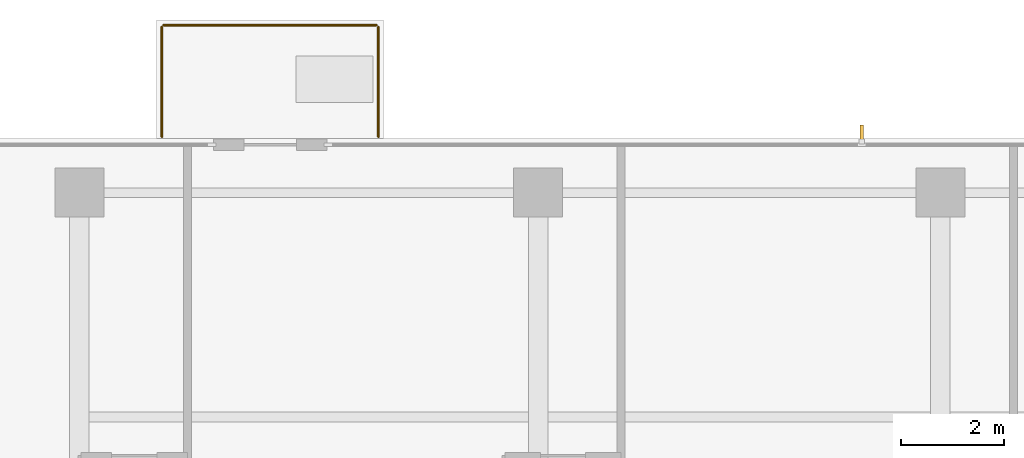
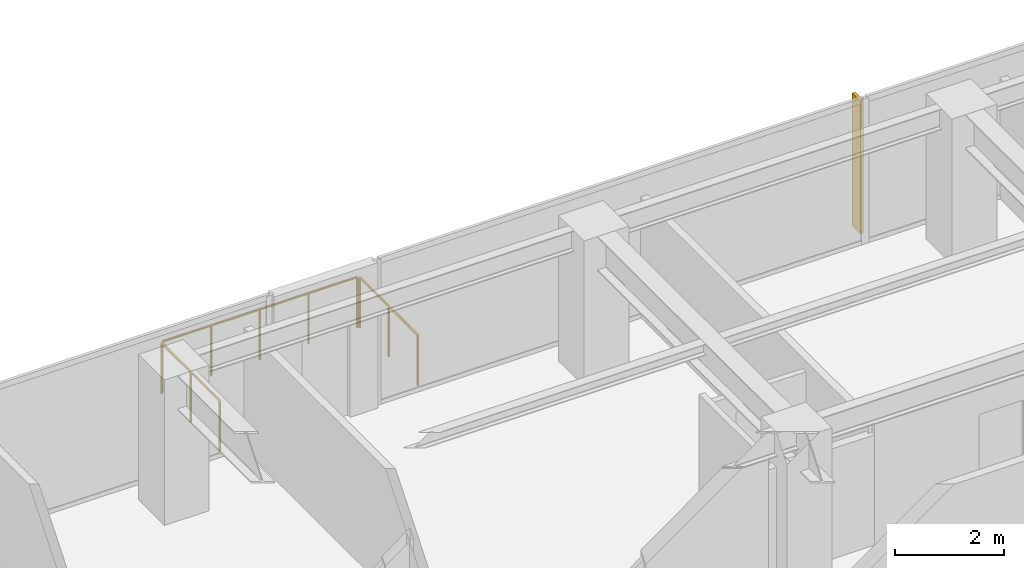
# One storey, part 14 of 14: 3 railings, 1 shading device.
"""IFC4 building model written with IfcOpenShell, lengths in metres."""

from ifc_helpers import new_model, si_unit, direction, frame, origin, origin_2d, place, context, subcontext, project, spatial, polyline, circle, outline, extrude, material, layer, layer_set, type_object, element, save


model = new_model("IFC4")

# Units and contexts
model_context = context("Model", 3, precision=1e-05, world=origin(), true_north=direction((0.0, 1.0)))
body_context = subcontext(model_context, "Body", "Model", "MODEL_VIEW")
ifc_project = project(units=[si_unit("LENGTHUNIT", "METRE"), si_unit("AREAUNIT", "SQUARE_METRE"), si_unit("VOLUMEUNIT", "CUBIC_METRE"), si_unit("PLANEANGLEUNIT", "RADIAN"), si_unit("MASSUNIT", "GRAM", prefix="KILO")], contexts=[model_context])

# Site, building, storey
site_placement = place(None, origin())
site = spatial("IfcSite", under=ifc_project, at=site_placement, CompositionType="ELEMENT")
building_placement = place(site_placement, origin())
building = spatial("IfcBuilding", under=site, at=building_placement, Name="Qalmaran Belvedere Hotel", CompositionType="ELEMENT")
storey_placement = place(building_placement, frame((0.0, 0.0, 210.89990234375)))
storey = spatial("IfcBuildingStorey", under=building, at=storey_placement, Name="L53", CompositionType="ELEMENT", Elevation=210.89990234375)

# Shading device
ifc_material = material(Name="Anodised Bronze Aluminium", Category="aluminium")
ifc_layer = layer(ifc_material, 0.06494140625, Name="Anodised Bronze Aluminium")
ifc_layer_set = layer_set([ifc_layer], Name="Anodised Bronze Aluminium")
shading_device_type = type_object("IfcShadingDeviceType", Name="FIN-BRNZ-300", PredefinedType="USERDEFINED", material=ifc_layer_set)
shading_device_placement = place(storey_placement, frame((0.0, 0.0, 0.16015625)))
element("IfcShadingDevice", 1, at=shading_device_placement, inside=storey, type_object=shading_device_type, Name="L53 Bronze Fin 1", ObjectType="FIN", PredefinedType="USERDEFINED", context=body_context, shape_type="SweptSolid", body=[
    extrude(outline(polyline([(35.507568359375, 41.467529296875), (35.507568359375, 41.767578125), (35.4423828125, 41.767578125), (35.4423828125, 41.467529296875), (35.507568359375, 41.467529296875)])), origin(), (0.0, 0.0, 1.0), 2.97998046875),
])

# Railings
railing_type = type_object("IfcRailingType", Name="GRD-BAL-1150", PredefinedType="BALUSTRADE", material=ifc_material)
railing_1_placement = place(storey_placement, frame((21.89990234375, 41.534912109375, 0.0)))
element("IfcRailing", 2, at=railing_1_placement, inside=storey, type_object=railing_type, Name="L53 Guardrail BAL-L53-N-1", PredefinedType="BALUSTRADE", context=body_context, shape_type="SweptSolid", body=[
    extrude(circle(Radius=0.02392578125, at=origin_2d()), frame((0.0, 0.0, 1.1259765625), z_axis=(0.0, 1.0, 0.0), x_axis=(-1.0, 0.0, 0.0)), (0.0, 0.0, 1.0), 2.130126953125),
    extrude(circle(Radius=0.02099609375, at=origin_2d()), origin(), (0.0, 0.0, 1.0), 1.101806640625),
    extrude(circle(Radius=0.02099609375, at=origin_2d()), frame((0.0, 1.06494140625, 0.0)), (0.0, 0.0, 1.0), 1.101806640625),
    extrude(circle(Radius=0.02099609375, at=origin_2d()), frame((0.0, 2.130126953125, 0.0)), (0.0, 0.0, 1.0), 1.101806640625),
])
railing_2_placement = place(storey_placement, frame((21.93505859375, 43.699951171875, 0.0)))
element("IfcRailing", 3, at=railing_2_placement, inside=storey, type_object=railing_type, Name="L53 Guardrail BAL-L53-N-2", PredefinedType="BALUSTRADE", context=body_context, shape_type="SweptSolid", body=[
    extrude(circle(Radius=0.02392578125, at=origin_2d()), frame((0.0, 0.0, 1.1259765625), z_axis=(1.0, 0.0, 0.0), x_axis=(0.0, 1.0, 0.0)), (0.0, 0.0, 1.0), 4.1298828125),
    extrude(circle(Radius=0.02099609375, at=origin_2d()), origin(), (0.0, 0.0, 1.0), 1.101806640625),
    extrude(circle(Radius=0.02099609375, at=origin_2d()), frame((1.032470703125, 0.0, 0.0)), (0.0, 0.0, 1.0), 1.101806640625),
    extrude(circle(Radius=0.02099609375, at=origin_2d()), frame((2.06494140625, 0.0, 0.0)), (0.0, 0.0, 1.0), 1.101806640625),
    extrude(circle(Radius=0.02099609375, at=origin_2d()), frame((3.097412109375, 0.0, 0.0)), (0.0, 0.0, 1.0), 1.101806640625),
    extrude(circle(Radius=0.02099609375, at=origin_2d()), frame((4.1298828125, 0.0, 0.0)), (0.0, 0.0, 1.0), 1.101806640625),
])
railing_3_placement = place(storey_placement, frame((26.10009765625, 43.6650390625, 0.0)))
element("IfcRailing", 4, at=railing_3_placement, inside=storey, type_object=railing_type, Name="L53 Guardrail BAL-L53-N-3", PredefinedType="BALUSTRADE", context=body_context, shape_type="SweptSolid", body=[
    extrude(circle(Radius=0.02392578125, at=origin_2d()), frame((0.0, 0.0, 1.1259765625), z_axis=(0.0, -1.0, 0.0), x_axis=(1.0, 0.0, 0.0)), (0.0, 0.0, 1.0), 2.130126953125),
    extrude(circle(Radius=0.02099609375, at=origin_2d()), origin(), (0.0, 0.0, 1.0), 1.101806640625),
    extrude(circle(Radius=0.02099609375, at=origin_2d()), frame((0.0, -1.06494140625, 0.0)), (0.0, 0.0, 1.0), 1.101806640625),
    extrude(circle(Radius=0.02099609375, at=origin_2d()), frame((0.0, -2.130126953125, 0.0)), (0.0, 0.0, 1.0), 1.101806640625),
])

save(model, "model.ifc")
